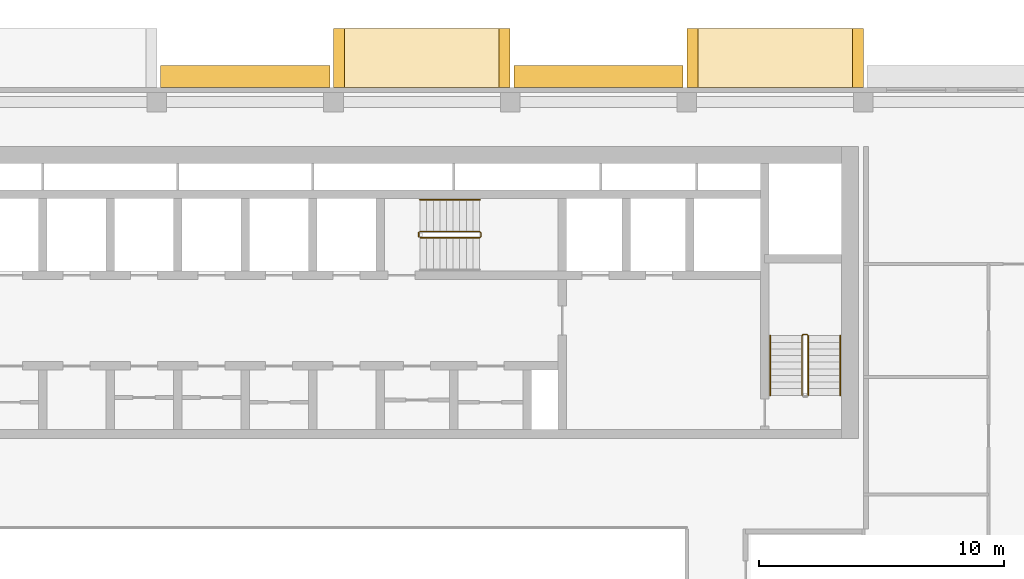
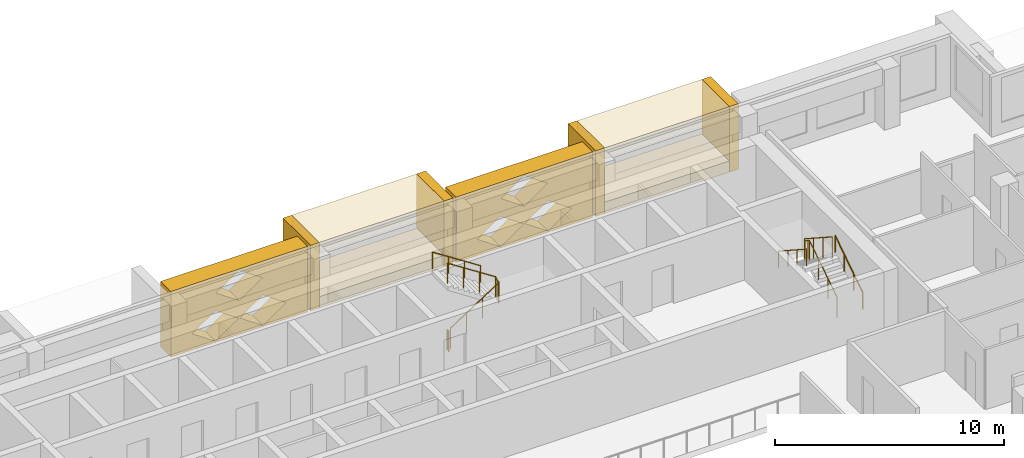
# One storey, part 19 of 20: 10 coverings, 6 railings.
"""IFC4 building model written with IfcOpenShell, lengths in metres."""

import ifcopenshell
import ifcopenshell.guid

model = None  # the IFC model being written
_history = None  # IfcOwnerHistory: only IFC2X3 demands one
_inside = {}  # id of a spatial element -> (the spatial element, [elements in it])
_under = {}  # id of a project, library or spatial element -> (it, [spatial elements below it])
_declared = {}  # id of a project -> (the project, [libraries it declares])
_typed = {}  # id of a type object -> (the type object, [elements of that type])
_made_of = {}  # id of a material, layer set ... -> (it, [elements and type objects made of it])


def new_model(schema):
    """Start an empty IFC model of exactly this schema.

    Asked for "IFC4X3", IfcOpenShell would pick the latest addendum, in which some entities
    have other attributes; the version numbers below select the first issue.
    IFC2X3 requires an IfcOwnerHistory on every rooted entity: one is made here for all.
    """
    global model, _history
    if schema == "IFC4X3":
        model = ifcopenshell.file(schema_version=(4, 3, 0, 0))
    else:
        model = ifcopenshell.file(schema=schema)
    _inside.clear()
    _under.clear()
    _declared.clear()
    _typed.clear()
    _made_of.clear()
    _history = None
    if model.schema == "IFC2X3":
        org = make("IfcOrganization", Name="unknown")
        user = make(
            "IfcPersonAndOrganization",
            ThePerson=make("IfcPerson", FamilyName="unknown"),
            TheOrganization=org,
        )
        app = make(
            "IfcApplication",
            ApplicationDeveloper=org,
            Version="unknown",
            ApplicationFullName="unknown",
            ApplicationIdentifier="unknown",
        )
        _history = make(
            "IfcOwnerHistory",
            OwningUser=user,
            OwningApplication=app,
            ChangeAction="ADDED",
            CreationDate=0,
        )
    return model


def make(cls, **values):
    """One entity of the class cls with the attributes given. An attribute that is None is left unset."""
    return model.create_entity(
        cls, **{name: value for name, value in values.items() if value is not None}
    )


def rooted(cls, **values):
    """An entity with a GlobalId (a new one), such as an element, a storey or a relation."""
    return make(cls, GlobalId=ifcopenshell.guid.new(), OwnerHistory=_history, **values)


def si_unit(unit_type, name, prefix=None):
    """IfcSIUnit, for example si_unit("LENGTHUNIT", "METRE", prefix="MILLI")."""
    return make("IfcSIUnit", UnitType=unit_type, Prefix=prefix, Name=name)


def assignment(units):
    """IfcUnitAssignment: the units of a project."""
    return None if units is None else make("IfcUnitAssignment", Units=units)


def point(xyz):
    """IfcCartesianPoint."""
    return None if xyz is None else make("IfcCartesianPoint", Coordinates=xyz)


def direction(xyz):
    """IfcDirection."""
    return None if xyz is None else make("IfcDirection", DirectionRatios=xyz)


def frame(location, z_axis=None, x_axis=None):
    """IfcAxis2Placement3D, a coordinate frame: its origin and axes. An axis left out is left unset."""
    return make(
        "IfcAxis2Placement3D",
        Location=point(location),
        Axis=direction(z_axis),
        RefDirection=direction(x_axis),
    )


def frame_2d(location, x_axis=None):
    """IfcAxis2Placement2D, a coordinate frame in the plane: its origin and x axis."""
    return make(
        "IfcAxis2Placement2D", Location=point(location), RefDirection=direction(x_axis)
    )


def origin():
    """The frame at (0, 0, 0) with its axes left unset."""
    return frame((0.0, 0.0, 0.0))


def origin_2d():
    """The frame at (0, 0) in the plane with its x axis left unset."""
    return frame_2d((0.0, 0.0))


def place(relative_to, where):
    """IfcLocalPlacement: puts the frame where relative to a parent placement (None: the world)."""
    return make(
        "IfcLocalPlacement", PlacementRelTo=relative_to, RelativePlacement=where
    )


def context(
    kind, dimensions, precision=None, world=None, true_north=None, identifier=None
):
    """IfcGeometricRepresentationContext, for example the 3D "Model" context."""
    return make(
        "IfcGeometricRepresentationContext",
        ContextIdentifier=identifier,
        ContextType=kind,
        CoordinateSpaceDimension=dimensions,
        Precision=precision,
        WorldCoordinateSystem=world,
        TrueNorth=true_north,
    )


def subcontext(parent, identifier, kind, view, scale=None):
    """IfcGeometricRepresentationSubContext, for example "Body" below "Model"."""
    return make(
        "IfcGeometricRepresentationSubContext",
        ContextIdentifier=identifier,
        ContextType=kind,
        ParentContext=parent,
        TargetScale=scale,
        TargetView=view,
    )


def project(units=None, contexts=None):
    """IfcProject with its units and contexts."""
    return rooted(
        "IfcProject",
        Name="project",
        RepresentationContexts=contexts,
        UnitsInContext=assignment(units),
    )


def spatial(cls, under=None, at=None, **own):
    """A site, building, storey or space (cls), placed at a placement, below another one or the project."""
    s = rooted(cls, ObjectPlacement=at, **own)
    if under is not None:
        _under.setdefault(under.id(), (under, []))[1].append(s)
    return s


def polyline(points):
    """IfcPolyline through the points."""
    return make("IfcPolyline", Points=[point(p) for p in points])


def profile(cls, at=None, kind="AREA", **sizes):
    """A parametric profile (cls). Its sizes go by their IFC names, for example OverallWidth=200.0."""
    return make(cls, ProfileType=kind, Position=at, **sizes)


def circle(**sizes):
    """IfcCircleProfileDef."""
    return profile("IfcCircleProfileDef", **sizes)


def outline(outer, holes=None, kind="AREA"):
    """IfcArbitraryClosedProfileDef: a profile drawn as a closed curve; with holes, ...WithVoids."""
    if holes is None:
        return make("IfcArbitraryClosedProfileDef", ProfileType=kind, OuterCurve=outer)
    return make(
        "IfcArbitraryProfileDefWithVoids",
        ProfileType=kind,
        OuterCurve=outer,
        InnerCurves=holes,
    )


def extrude(swept, where, along, depth):
    """IfcExtrudedAreaSolid: the profile swept, set in the frame where, extruded along a direction by depth."""
    return make(
        "IfcExtrudedAreaSolid",
        SweptArea=swept,
        Position=where,
        ExtrudedDirection=direction(along),
        Depth=depth,
    )


def shape(context_of_items, identifier, shape_type, items):
    """IfcShapeRepresentation: the items that make up one representation, for example the "Body"."""
    return make(
        "IfcShapeRepresentation",
        ContextOfItems=context_of_items,
        RepresentationIdentifier=identifier,
        RepresentationType=shape_type,
        Items=items,
    )


def material(Name=None, Category=None):
    """IfcMaterial."""
    return make("IfcMaterial", Name=Name, Category=Category)


def made_of(thing, what):
    """Note that an element or type object is made of a material, layer set ...; save() writes the relation."""
    if what is not None:
        _made_of.setdefault(what.id(), (what, []))[1].append(thing)
    return thing


def type_object(cls, material=None, **own):
    """A type object (cls), such as IfcWallType, which elements share."""
    return made_of(rooted(cls, **own), material)


def element(
    cls,
    number,
    at=None,
    inside=None,
    cuts=None,
    type_object=None,
    material=None,
    context=None,
    identifier="Body",
    shape_type=None,
    held_by="IfcProductDefinitionShape",
    body=None,
    shapes=None,
    **own,
):
    """One element of the class cls, such as IfcWall. Its Tag is "e" and its number.

    at: its placement. inside: the storey or other place that contains it. cuts: it is an
    opening in that element (IfcRelVoidsElement). A single representation is given by context,
    identifier, shape_type and body (its items); several are given by shapes. held_by: the class
    of the entity that holds the representations. save() writes the other relations.
    """
    e = rooted(cls, Tag="e%d" % number, ObjectPlacement=at, **own)
    if body is not None:
        shapes = [shape(context, identifier, shape_type, body)]
    if shapes is not None:
        e.Representation = make(held_by, Representations=shapes)
    if inside is not None:
        _inside.setdefault(inside.id(), (inside, []))[1].append(e)
    if cuts is not None:
        rooted(
            "IfcRelVoidsElement", RelatingBuildingElement=cuts, RelatedOpeningElement=e
        )
    if type_object is not None:
        _typed.setdefault(type_object.id(), (type_object, []))[1].append(e)
    return made_of(e, material)


def aggregate(whole, parts):
    """IfcRelAggregates: a whole, such as a stair, and the parts it consists of."""
    return rooted("IfcRelAggregates", RelatingObject=whole, RelatedObjects=parts)


def save(model, path):
    """Write the relations noted so far, then the file.

    IfcRelAggregates (storeys below a building ...), IfcRelContainedInSpatialStructure (elements
    in a storey), IfcRelDefinesByType, IfcRelAssociatesMaterial and IfcRelDeclares: one each for
    every whole, place, type object, material and project.
    """
    for whole, parts in _under.values():
        aggregate(whole, parts)
    for where, things in _inside.values():
        rooted(
            "IfcRelContainedInSpatialStructure",
            RelatedElements=things,
            RelatingStructure=where,
        )
    for kind, things in _typed.values():
        rooted("IfcRelDefinesByType", RelatedObjects=things, RelatingType=kind)
    for what, things in _made_of.values():
        rooted("IfcRelAssociatesMaterial", RelatedObjects=things, RelatingMaterial=what)
    for by, libraries in _declared.values():
        rooted("IfcRelDeclares", RelatingContext=by, RelatedDefinitions=libraries)
    model.write(path)


model = new_model("IFC4")

# Units and contexts
model_context = context("Model", 3, precision=1e-05, world=origin(), true_north=direction((0.0, 1.0)))
body_context = subcontext(model_context, "Body", "Model", "MODEL_VIEW")
ifc_project = project(units=[si_unit("LENGTHUNIT", "METRE"), si_unit("AREAUNIT", "SQUARE_METRE"), si_unit("VOLUMEUNIT", "CUBIC_METRE"), si_unit("PLANEANGLEUNIT", "RADIAN"), si_unit("MASSUNIT", "GRAM", prefix="KILO")], contexts=[model_context])

# Site, building, storey
site_placement = place(None, origin())
site = spatial("IfcSite", under=ifc_project, at=site_placement, CompositionType="ELEMENT")
building_placement = place(site_placement, origin())
building = spatial("IfcBuilding", under=site, at=building_placement, Name="Saffron Iwan Residences", CompositionType="ELEMENT")
storey_placement = place(building_placement, frame((0.0, 0.0, 178.0)))
storey = spatial("IfcBuildingStorey", under=building, at=storey_placement, Name="L47", CompositionType="ELEMENT", Elevation=178.0)

# Coverings
ifc_material_1 = material(Name="Precast concrete C40/50", Category="concrete")
covering_type_1 = type_object("IfcCoveringType", Name="OUTER SKIN LATTICE SCREEN", PredefinedType="CLADDING", material=ifc_material_1)
for number, where, z_axis, x_axis, name in (
    (1, (64.64990234375, 80.39990234375, -0.300048828125), (0.0, 1.0, 0.0), (-1.0, 0.0, 0.0), "OUTER SKIN lattice screen L47 F5.1"),
    (2, (50.25, 80.39990234375, -0.300048828125), (0.0, 1.0, 0.0), (-1.0, 0.0, 0.0), "OUTER SKIN lattice screen L47 F5.2"),
):
    element("IfcCovering", number, at=place(storey_placement, frame(where, z_axis=z_axis, x_axis=x_axis)), inside=storey, type_object=covering_type_1, Name=name, PredefinedType="CLADDING", context=body_context, shape_type="SweptSolid", body=[
        extrude(outline(polyline([(0.0, 0.0), (6.89990234375, 0.0), (6.89990234375, 3.5), (0.0, 3.5), (0.0, 0.0)]), holes=[polyline([(1.070068359375, 0.875), (2.25, 0.06005859375), (3.429931640625, 0.875), (2.25, 1.68994140625), (1.070068359375, 0.875)]), polyline([(3.469970703125, 0.875), (4.64990234375, 0.06005859375), (5.830078125, 0.875), (4.64990234375, 1.68994140625), (3.469970703125, 0.875)]), polyline([(2.27001953125, 2.625), (3.449951171875, 1.81005859375), (4.6298828125, 2.625), (3.449951171875, 3.43994140625), (2.27001953125, 2.625)])]), origin(), (0.0, 0.0, 1.0), 0.900146484375),
    ])

# Railings
ifc_material_2 = material(Name="Steel S355", Category="steel")
railing_type_1 = type_object("IfcRailingType", Name="Stair guard 1100", PredefinedType="GUARDRAIL", material=ifc_material_2)
railing_1_placement = place(storey_placement, frame((53.925048828125, 74.27490234375, 0.175048828125)))
element("IfcRailing", 3, at=railing_1_placement, inside=storey, type_object=railing_type_1, Name="L47 ST-C stair guard 1", PredefinedType="GUARDRAIL", context=body_context, shape_type="SweptSolid", body=[
    extrude(circle(Radius=0.02392578125, at=origin_2d()), frame((0.0, 0.0, 1.076171875), z_axis=(0.839153699163, 0.0, 0.543894354798), x_axis=(0.0, 1.0, 0.0)), (0.0, 0.0, 1.0), 2.895751953125),
    extrude(circle(Radius=0.02392578125, at=origin_2d()), frame((2.429931640625, 0.0, 2.65087890625), z_axis=(0.707106781187, 0.707106781187, 0.0), x_axis=(-0.707106781187, 0.707106781187, 0.0)), (0.0, 0.0, 1.0), 0.07080078125),
    extrude(circle(Radius=0.02392578125, at=origin_2d()), frame((2.47998046875, 0.050048828125, 2.65087890625), z_axis=(0.0, 1.0, 0.0), x_axis=(-1.0, 0.0, 0.0)), (0.0, 0.0, 1.0), 0.150146484375),
    extrude(circle(Radius=0.02392578125, at=origin_2d()), frame((2.47998046875, 0.2001953125, 2.65087890625), z_axis=(-0.265155923931, 0.263862480399, 0.927399011991), x_axis=(-0.705375805398, -0.708833529934, 0.0)), (0.0, 0.0, 1.0), 0.188720703125),
    extrude(circle(Radius=0.02392578125, at=origin_2d()), frame((2.429931640625, 0.25, 2.826171875), z_axis=(-0.839153699163, 0.0, 0.543894354798), x_axis=(0.0, -1.0, 0.0)), (0.0, 0.0, 1.0), 2.895751953125),
    extrude(circle(Radius=0.02099609375, at=origin_2d()), origin(), (0.0, 0.0, 1.0), 1.052001953125),
    extrude(circle(Radius=0.02099609375, at=origin_2d()), frame((0.81005859375, 0.0, 0.52490234375)), (0.0, 0.0, 1.0), 1.052001953125),
    extrude(circle(Radius=0.02099609375, at=origin_2d()), frame((1.619873046875, 0.0, 1.050048828125)), (0.0, 0.0, 1.0), 1.052001953125),
    extrude(circle(Radius=0.02099609375, at=origin_2d()), frame((2.429931640625, 0.0, 1.574951171875)), (0.0, 0.0, 1.0), 1.052001953125),
    extrude(circle(Radius=0.02099609375, at=origin_2d()), frame((2.47998046875, 0.050048828125, 1.574951171875)), (0.0, 0.0, 1.0), 1.052001953125),
    extrude(circle(Radius=0.02099609375, at=origin_2d()), frame((2.47998046875, 0.2001953125, 1.574951171875)), (0.0, 0.0, 1.0), 1.052001953125),
    extrude(circle(Radius=0.02099609375, at=origin_2d()), frame((2.429931640625, 0.25, 1.75)), (0.0, 0.0, 1.0), 1.052001953125),
    extrude(circle(Radius=0.02099609375, at=origin_2d()), frame((1.619873046875, 0.25, 2.27490234375)), (0.0, 0.0, 1.0), 1.052001953125),
    extrude(circle(Radius=0.02099609375, at=origin_2d()), frame((0.81005859375, 0.25, 2.800048828125)), (0.0, 0.0, 1.0), 1.052001953125),
    extrude(circle(Radius=0.02099609375, at=origin_2d()), frame((0.0, 0.25, 3.324951171875)), (0.0, 0.0, 1.0), 1.052001953125),
])
railing_2_placement = place(storey_placement, frame((53.875, 74.324951171875, 0.0)))
element("IfcRailing", 4, at=railing_2_placement, inside=storey, type_object=railing_type_1, Name="L47 ST-C stair guard 2", PredefinedType="GUARDRAIL", context=body_context, shape_type="SweptSolid", body=[
    extrude(circle(Radius=0.02392578125, at=origin_2d()), frame((0.0, 0.0, 1.076171875), z_axis=(0.0, 1.0, 0.0), x_axis=(-1.0, 0.0, 0.0)), (0.0, 0.0, 1.0), 0.150146484375),
    extrude(circle(Radius=0.02099609375, at=origin_2d()), origin(), (0.0, 0.0, 1.0), 1.052001953125),
    extrude(circle(Radius=0.02099609375, at=origin_2d()), frame((0.0, 0.150146484375, 0.0)), (0.0, 0.0, 1.0), 1.052001953125),
])
railing_3_placement = place(storey_placement, frame((69.75, 67.85009765625, 0.175048828125)))
element("IfcRailing", 5, at=railing_3_placement, inside=storey, type_object=railing_type_1, Name="L47 ST-E stair guard 1", PredefinedType="GUARDRAIL", context=body_context, shape_type="SweptSolid", body=[
    extrude(circle(Radius=0.02392578125, at=origin_2d()), frame((0.0, 0.0, 1.076171875), z_axis=(0.0, 0.839153699163, 0.543894354798), x_axis=(-1.0, 0.0, 0.0)), (0.0, 0.0, 1.0), 2.895751953125),
    extrude(circle(Radius=0.02392578125, at=origin_2d()), frame((0.0, 2.429931640625, 2.65087890625), z_axis=(-0.707106781187, 0.707106781187, 0.0), x_axis=(-0.707106781187, -0.707106781187, 0.0)), (0.0, 0.0, 1.0), 0.07080078125),
    extrude(circle(Radius=0.02392578125, at=origin_2d()), frame((-0.050048828125, 2.47998046875, 2.65087890625), z_axis=(-1.0, 0.0, 0.0), x_axis=(0.0, -1.0, 0.0)), (0.0, 0.0, 1.0), 0.14990234375),
    extrude(circle(Radius=0.02392578125, at=origin_2d()), frame((-0.199951171875, 2.47998046875, 2.65087890625), z_axis=(-0.265065253269, -0.265065253269, 0.927081885822), x_axis=(0.707106781187, -0.707106781187, 0.0)), (0.0, 0.0, 1.0), 0.188720703125),
    extrude(circle(Radius=0.02392578125, at=origin_2d()), frame((-0.25, 2.429931640625, 2.826171875), z_axis=(0.0, -0.839153699163, 0.543894354798), x_axis=(1.0, 0.0, 0.0)), (0.0, 0.0, 1.0), 2.895751953125),
    extrude(circle(Radius=0.02099609375, at=origin_2d()), origin(), (0.0, 0.0, 1.0), 1.052001953125),
    extrude(circle(Radius=0.02099609375, at=origin_2d()), frame((0.0, 0.81005859375, 0.52490234375)), (0.0, 0.0, 1.0), 1.052001953125),
    extrude(circle(Radius=0.02099609375, at=origin_2d()), frame((0.0, 1.619873046875, 1.050048828125)), (0.0, 0.0, 1.0), 1.052001953125),
    extrude(circle(Radius=0.02099609375, at=origin_2d()), frame((0.0, 2.429931640625, 1.574951171875)), (0.0, 0.0, 1.0), 1.052001953125),
    extrude(circle(Radius=0.02099609375, at=origin_2d()), frame((-0.050048828125, 2.47998046875, 1.574951171875)), (0.0, 0.0, 1.0), 1.052001953125),
    extrude(circle(Radius=0.02099609375, at=origin_2d()), frame((-0.199951171875, 2.47998046875, 1.574951171875)), (0.0, 0.0, 1.0), 1.052001953125),
    extrude(circle(Radius=0.02099609375, at=origin_2d()), frame((-0.25, 2.429931640625, 1.75)), (0.0, 0.0, 1.0), 1.052001953125),
    extrude(circle(Radius=0.02099609375, at=origin_2d()), frame((-0.25, 1.619873046875, 2.27490234375)), (0.0, 0.0, 1.0), 1.052001953125),
    extrude(circle(Radius=0.02099609375, at=origin_2d()), frame((-0.25, 0.81005859375, 2.800048828125)), (0.0, 0.0, 1.0), 1.052001953125),
    extrude(circle(Radius=0.02099609375, at=origin_2d()), frame((-0.25, 0.0, 3.324951171875)), (0.0, 0.0, 1.0), 1.052001953125),
])
ifc_material_3 = material(Name="Stainless steel 316", Category="steel")
railing_type_2 = type_object("IfcRailingType", Name="Stair handrail 900", PredefinedType="HANDRAIL", material=ifc_material_3)
railing_4_placement = place(storey_placement, frame((56.35498046875, 75.824951171875, 1.925048828125)))
element("IfcRailing", 6, at=railing_4_placement, inside=storey, type_object=railing_type_2, Name="L47 ST-C stair handrail 2", PredefinedType="HANDRAIL", context=body_context, shape_type="SweptSolid", body=[
    extrude(circle(Radius=0.02392578125, at=origin_2d()), frame((0.0, 0.0, 0.8759765625), z_axis=(-0.839153699163, 0.0, 0.543894354798), x_axis=(0.0, -1.0, 0.0)), (0.0, 0.0, 1.0), 2.895751953125),
    extrude(circle(Radius=0.02099609375, at=origin_2d()), origin(), (0.0, 0.0, 1.0), 0.851806640625),
    extrude(circle(Radius=0.02099609375, at=origin_2d()), frame((-0.81005859375, 0.0, 0.52490234375)), (0.0, 0.0, 1.0), 0.851806640625),
    extrude(circle(Radius=0.02099609375, at=origin_2d()), frame((-1.619873046875, 0.0, 1.050048828125)), (0.0, 0.0, 1.0), 0.851806640625),
    extrude(circle(Radius=0.02099609375, at=origin_2d()), frame((-2.429931640625, 0.0, 1.574951171875)), (0.0, 0.0, 1.0), 0.851806640625),
])
railing_5_placement = place(storey_placement, frame((71.050048828125, 67.85009765625, 0.175048828125)))
element("IfcRailing", 7, at=railing_5_placement, inside=storey, type_object=railing_type_2, Name="L47 ST-E stair handrail 1", PredefinedType="HANDRAIL", context=body_context, shape_type="SweptSolid", body=[
    extrude(circle(Radius=0.02392578125, at=origin_2d()), frame((0.0, 0.0, 0.8759765625), z_axis=(0.0, 0.839153699163, 0.543894354798), x_axis=(-1.0, 0.0, 0.0)), (0.0, 0.0, 1.0), 2.895751953125),
    extrude(circle(Radius=0.02099609375, at=origin_2d()), origin(), (0.0, 0.0, 1.0), 0.851806640625),
    extrude(circle(Radius=0.02099609375, at=origin_2d()), frame((0.0, 0.81005859375, 0.52490234375)), (0.0, 0.0, 1.0), 0.851806640625),
    extrude(circle(Radius=0.02099609375, at=origin_2d()), frame((0.0, 1.619873046875, 1.050048828125)), (0.0, 0.0, 1.0), 0.851806640625),
    extrude(circle(Radius=0.02099609375, at=origin_2d()), frame((0.0, 2.429931640625, 1.574951171875)), (0.0, 0.0, 1.0), 0.851806640625),
])
railing_6_placement = place(storey_placement, frame((68.199951171875, 70.280029296875, 1.925048828125)))
element("IfcRailing", 8, at=railing_6_placement, inside=storey, type_object=railing_type_2, Name="L47 ST-E stair handrail 2", PredefinedType="HANDRAIL", context=body_context, shape_type="SweptSolid", body=[
    extrude(circle(Radius=0.02392578125, at=origin_2d()), frame((0.0, 0.0, 0.8759765625), z_axis=(0.0, -0.839153699163, 0.543894354798), x_axis=(1.0, 0.0, 0.0)), (0.0, 0.0, 1.0), 2.895751953125),
    extrude(circle(Radius=0.02099609375, at=origin_2d()), origin(), (0.0, 0.0, 1.0), 0.851806640625),
    extrude(circle(Radius=0.02099609375, at=origin_2d()), frame((0.0, -0.81005859375, 0.52490234375)), (0.0, 0.0, 1.0), 0.851806640625),
    extrude(circle(Radius=0.02099609375, at=origin_2d()), frame((0.0, -1.619873046875, 1.050048828125)), (0.0, 0.0, 1.0), 0.851806640625),
    extrude(circle(Radius=0.02099609375, at=origin_2d()), frame((0.0, -2.429931640625, 1.574951171875)), (0.0, 0.0, 1.0), 0.851806640625),
])

# Coverings
ifc_material_4 = material(Name="Precast concrete C40/50 white painted", Category="concrete")
covering_type_2 = type_object("IfcCoveringType", Name="WHITE SUN FRAME PRECAST", PredefinedType="CLADDING", material=ifc_material_4)
for number, where, z_axis, x_axis, name in (
    (9, (72.0, 80.39990234375, -0.300048828125), (0.0, 1.0, 0.0), (-1.0, 0.0, 0.0), "Sun frame L47 F5 10.8a"),
    (10, (65.25, 80.39990234375, -0.300048828125), (0.0, 1.0, 0.0), (-1.0, 0.0, 0.0), "Sun frame L47 F5 10.8b"),
):
    element("IfcCovering", number, at=place(storey_placement, frame(where, z_axis=z_axis, x_axis=x_axis)), inside=storey, type_object=covering_type_2, Name=name, PredefinedType="CLADDING", context=body_context, shape_type="SweptSolid", body=[
        extrude(outline(polyline([(0.0, 0.0), (0.449951171875, 0.0), (0.449951171875, 3.5), (0.0, 3.5), (0.0, 0.0)])), origin(), (0.0, 0.0, 1.0), 2.400146484375),
    ])
for number, where, z_axis, x_axis, name in (
    (11, (71.550048828125, 80.39990234375, 2.60009765625), (0.0, 1.0, 0.0), (-1.0, 0.0, 0.0), "Sun frame L47 F5 10.8h"),
    (12, (71.550048828125, 80.39990234375, -0.300048828125), (0.0, 1.0, 0.0), (-1.0, 0.0, 0.0), "Sun frame L47 F5 10.8s"),
):
    element("IfcCovering", number, at=place(storey_placement, frame(where, z_axis=z_axis, x_axis=x_axis)), inside=storey, type_object=covering_type_2, Name=name, PredefinedType="CLADDING", context=body_context, shape_type="SweptSolid", body=[
        extrude(outline(polyline([(0.0, 0.0), (6.300048828125, 0.0), (6.300048828125, 0.60009765625), (0.0, 0.60009765625), (0.0, 0.0)])), origin(), (0.0, 0.0, 1.0), 2.400146484375),
    ])
for number, where, z_axis, x_axis, name in (
    (13, (57.60009765625, 80.39990234375, -0.300048828125), (0.0, 1.0, 0.0), (-1.0, 0.0, 0.0), "Sun frame L47 F5 25.2a"),
    (14, (50.85009765625, 80.39990234375, -0.300048828125), (0.0, 1.0, 0.0), (-1.0, 0.0, 0.0), "Sun frame L47 F5 25.2b"),
):
    element("IfcCovering", number, at=place(storey_placement, frame(where, z_axis=z_axis, x_axis=x_axis)), inside=storey, type_object=covering_type_2, Name=name, PredefinedType="CLADDING", context=body_context, shape_type="SweptSolid", body=[
        extrude(outline(polyline([(0.0, 0.0), (0.449951171875, 0.0), (0.449951171875, 3.5), (0.0, 3.5), (0.0, 0.0)])), origin(), (0.0, 0.0, 1.0), 2.400146484375),
    ])
for number, where, z_axis, x_axis, name in (
    (15, (57.14990234375, 80.39990234375, 2.60009765625), (0.0, 1.0, 0.0), (-1.0, 0.0, 0.0), "Sun frame L47 F5 25.2h"),
    (16, (57.14990234375, 80.39990234375, -0.300048828125), (0.0, 1.0, 0.0), (-1.0, 0.0, 0.0), "Sun frame L47 F5 25.2s"),
):
    element("IfcCovering", number, at=place(storey_placement, frame(where, z_axis=z_axis, x_axis=x_axis)), inside=storey, type_object=covering_type_2, Name=name, PredefinedType="CLADDING", context=body_context, shape_type="SweptSolid", body=[
        extrude(outline(polyline([(0.0, 0.0), (6.300048828125, 0.0), (6.300048828125, 0.60009765625), (0.0, 0.60009765625), (0.0, 0.0)])), origin(), (0.0, 0.0, 1.0), 2.400146484375),
    ])

save(model, "model.ifc")
